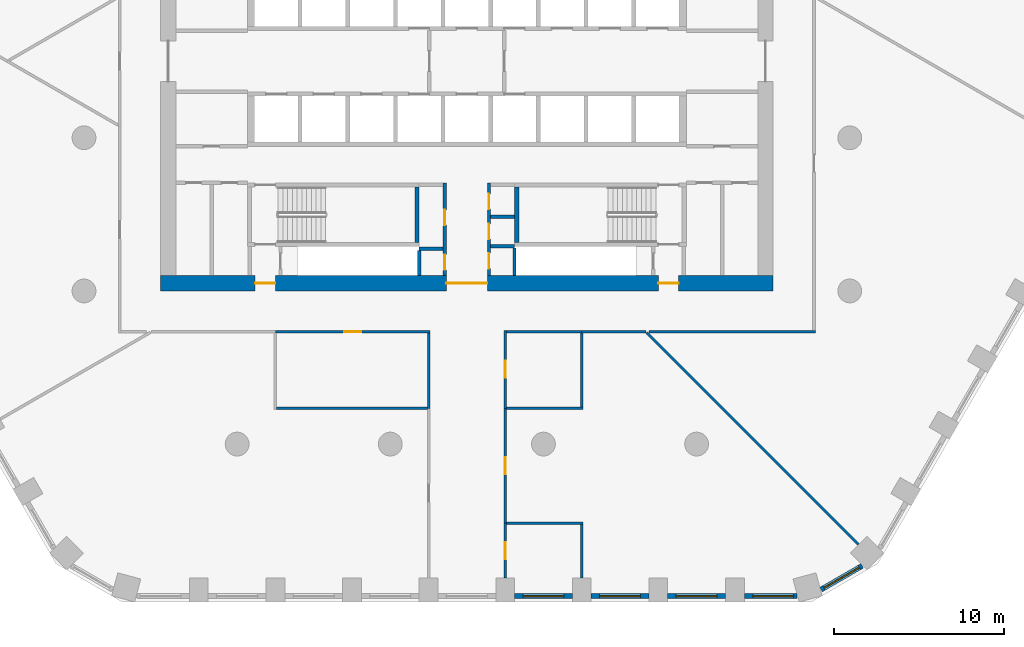
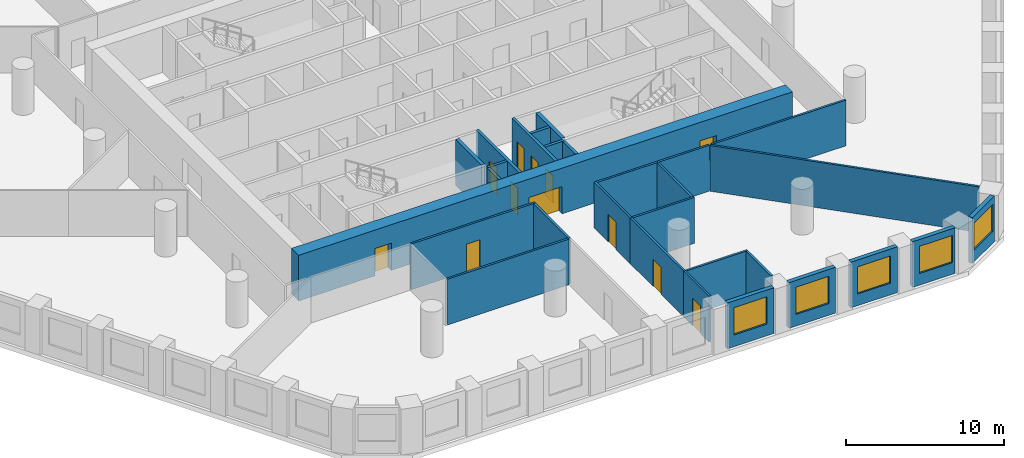
# One storey, part 3 of 10: 29 walls, 12 doors, 5 windows, 17 openings.
"""IFC4 building model written with IfcOpenShell, lengths in metres."""

from ifc_helpers import new_model, si_unit, direction, frame, frame_2d, origin, place, context, subcontext, project, spatial, rectangle, extrude, material, layer, layer_set, type_object, element, fill, save


model = new_model("IFC4")

# Units and contexts
model_context = context("Model", 3, precision=1e-05, world=origin(), true_north=direction((0.0, 1.0)))
body_context = subcontext(model_context, "Body", "Model", "MODEL_VIEW")
ifc_project = project(units=[si_unit("LENGTHUNIT", "METRE"), si_unit("AREAUNIT", "SQUARE_METRE"), si_unit("VOLUMEUNIT", "CUBIC_METRE"), si_unit("PLANEANGLEUNIT", "RADIAN"), si_unit("MASSUNIT", "GRAM", prefix="KILO")], contexts=[model_context])

# Site, building, storey
site_placement = place(None, origin())
site = spatial("IfcSite", under=ifc_project, at=site_placement, CompositionType="ELEMENT")
building_placement = place(site_placement, origin())
building = spatial("IfcBuilding", under=site, at=building_placement, Name="Dhurran Vertical Campus", CompositionType="ELEMENT")
storey_placement = place(building_placement, frame((0.0, 0.0, 41.699951171875)))
storey = spatial("IfcBuildingStorey", under=building, at=storey_placement, Name="L09", CompositionType="ELEMENT", Elevation=41.699951171875)

# Wall, opening, window
ifc_material_1 = material(Name="Precast concrete C50/60", Category="concrete")
ifc_layer_1 = layer(ifc_material_1, 0.300048828125)
ifc_layer_set_1 = layer_set([ifc_layer_1], Name="Precast concrete C50/60")
wall_type_1 = type_object("IfcWallType", Name="Precast spandrel wall 300", PredefinedType="SOLIDWALL", material=ifc_layer_set_1)
wall_1_placement = place(storey_placement, frame((2.800537109375, -31.4296875, 0.0), z_axis=(0.0, 0.0, 1.0), x_axis=(1.0, 0.0, 0.0)))
wall_1 = element("IfcWall", 1, at=wall_1_placement, inside=storey, type_object=wall_type_1, Name="EW1 L09.05", PredefinedType="SOLIDWALL", context=body_context, shape_type="SweptSolid", body=[
    extrude(rectangle(XDim=3.39892578125, YDim=0.300048828125, at=frame_2d((1.699462890625, 0.0))), origin(), (0.0, 0.0, 1.0), 3.525146484375),
])
opening_1_placement = place(wall_1_placement, frame((0.49951171875, 0.0, 0.89990234375)))
opening_1 = element("IfcOpeningElement", 2, at=opening_1_placement, cuts=wall_1, Name="Opening WT1", PredefinedType="OPENING", context=body_context, shape_type="SweptSolid", body=[
    extrude(rectangle(XDim=2.39990234375, YDim=2.10009765625, at=frame_2d((1.199951171875, 1.050048828125))), frame((0.0, 0.159912109375, 0.0), z_axis=(0.0, -1.0, 0.0), x_axis=(1.0, 0.0, 0.0)), (0.0, 0.0, 1.0), 0.320068359375),
])
ifc_material_2 = material(Name="Aluminium frame with solar-control glass", Category="aluminium")
window_type = type_object("IfcWindowType", Name="Punched window 2400 x 2100", PartitioningType="SINGLE_PANEL", PredefinedType="WINDOW", material=ifc_material_2)
window_1_placement = place(opening_1_placement, origin())
window_1 = element("IfcWindow", 3, at=window_1_placement, inside=storey, type_object=window_type, Name="WT1 L09.05", OverallHeight=2.10009765625, OverallWidth=2.39990234375, PartitioningType="SINGLE_PANEL", PredefinedType="WINDOW", context=body_context, shape_type="SweptSolid", body=[
    extrude(rectangle(XDim=2.39990234375, YDim=2.10009765625, at=frame_2d((1.199951171875, 1.050048828125))), frame((0.0, 0.030029296875, 0.0), z_axis=(0.0, -1.0, 0.0), x_axis=(1.0, 0.0, 0.0)), (0.0, 0.0, 1.0), 0.06005859375),
])
fill(opening_1, window_1)

wall_2_placement = place(storey_placement, frame((7.300537109375, -31.4296875, 0.0), z_axis=(0.0, 0.0, 1.0), x_axis=(1.0, 0.0, 0.0)))
wall_2 = element("IfcWall", 4, at=wall_2_placement, inside=storey, type_object=wall_type_1, Name="EW1 L09.06", PredefinedType="SOLIDWALL", context=body_context, shape_type="SweptSolid", body=[
    extrude(rectangle(XDim=3.39892578125, YDim=0.300048828125, at=frame_2d((1.699462890625, 0.0))), origin(), (0.0, 0.0, 1.0), 3.525146484375),
])
opening_2_placement = place(wall_2_placement, frame((0.49951171875, 0.0, 0.89990234375)))
opening_2 = element("IfcOpeningElement", 5, at=opening_2_placement, cuts=wall_2, Name="Opening WT1", PredefinedType="OPENING", context=body_context, shape_type="SweptSolid", body=[
    extrude(rectangle(XDim=2.39990234375, YDim=2.10009765625, at=frame_2d((1.199951171875, 1.050048828125))), frame((0.0, 0.159912109375, 0.0), z_axis=(0.0, -1.0, 0.0), x_axis=(1.0, 0.0, 0.0)), (0.0, 0.0, 1.0), 0.320068359375),
])
window_2_placement = place(opening_2_placement, origin())
window_2 = element("IfcWindow", 6, at=window_2_placement, inside=storey, type_object=window_type, Name="WT1 L09.06", OverallHeight=2.10009765625, OverallWidth=2.39990234375, PartitioningType="SINGLE_PANEL", PredefinedType="WINDOW", context=body_context, shape_type="SweptSolid", body=[
    extrude(rectangle(XDim=2.39990234375, YDim=2.10009765625, at=frame_2d((1.199951171875, 1.050048828125))), frame((0.0, 0.030029296875, 0.0), z_axis=(0.0, -1.0, 0.0), x_axis=(1.0, 0.0, 0.0)), (0.0, 0.0, 1.0), 0.06005859375),
])
fill(opening_2, window_2)

wall_3_placement = place(storey_placement, frame((11.800537109375, -31.4296875, 0.0), z_axis=(0.0, 0.0, 1.0), x_axis=(1.0, 0.0, 0.0)))
wall_3 = element("IfcWall", 7, at=wall_3_placement, inside=storey, type_object=wall_type_1, Name="EW1 L09.07", PredefinedType="SOLIDWALL", context=body_context, shape_type="SweptSolid", body=[
    extrude(rectangle(XDim=3.39892578125, YDim=0.300048828125, at=frame_2d((1.699462890625, 0.0))), origin(), (0.0, 0.0, 1.0), 3.525146484375),
])
opening_3_placement = place(wall_3_placement, frame((0.49951171875, 0.0, 0.89990234375)))
opening_3 = element("IfcOpeningElement", 8, at=opening_3_placement, cuts=wall_3, Name="Opening WT1", PredefinedType="OPENING", context=body_context, shape_type="SweptSolid", body=[
    extrude(rectangle(XDim=2.39990234375, YDim=2.10009765625, at=frame_2d((1.199951171875, 1.050048828125))), frame((0.0, 0.159912109375, 0.0), z_axis=(0.0, -1.0, 0.0), x_axis=(1.0, 0.0, 0.0)), (0.0, 0.0, 1.0), 0.320068359375),
])
window_3_placement = place(opening_3_placement, origin())
window_3 = element("IfcWindow", 9, at=window_3_placement, inside=storey, type_object=window_type, Name="WT1 L09.07", OverallHeight=2.10009765625, OverallWidth=2.39990234375, PartitioningType="SINGLE_PANEL", PredefinedType="WINDOW", context=body_context, shape_type="SweptSolid", body=[
    extrude(rectangle(XDim=2.39990234375, YDim=2.10009765625, at=frame_2d((1.199951171875, 1.050048828125))), frame((0.0, 0.030029296875, 0.0), z_axis=(0.0, -1.0, 0.0), x_axis=(1.0, 0.0, 0.0)), (0.0, 0.0, 1.0), 0.06005859375),
])
fill(opening_3, window_3)

wall_4_placement = place(storey_placement, frame((16.300537109375, -31.4296875, 0.0), z_axis=(0.0, 0.0, 1.0), x_axis=(1.0, 0.0, 0.0)))
wall_4 = element("IfcWall", 10, at=wall_4_placement, inside=storey, type_object=wall_type_1, Name="EW1 L09.08", PredefinedType="SOLIDWALL", context=body_context, shape_type="SweptSolid", body=[
    extrude(rectangle(XDim=3.090576171875, YDim=0.300048828125, at=frame_2d((1.54541015625, 0.0))), origin(), (0.0, 0.0, 1.0), 3.525146484375),
])
opening_4_placement = place(wall_4_placement, frame((0.49951171875, 0.0, 0.89990234375)))
opening_4 = element("IfcOpeningElement", 11, at=opening_4_placement, cuts=wall_4, Name="Opening WT1", PredefinedType="OPENING", context=body_context, shape_type="SweptSolid", body=[
    extrude(rectangle(XDim=2.39990234375, YDim=2.10009765625, at=frame_2d((1.199951171875, 1.050048828125))), frame((0.0, 0.159912109375, 0.0), z_axis=(0.0, -1.0, 0.0), x_axis=(1.0, 0.0, 0.0)), (0.0, 0.0, 1.0), 0.320068359375),
])
window_4_placement = place(opening_4_placement, origin())
window_4 = element("IfcWindow", 12, at=window_4_placement, inside=storey, type_object=window_type, Name="WT1 L09.08", OverallHeight=2.10009765625, OverallWidth=2.39990234375, PartitioningType="SINGLE_PANEL", PredefinedType="WINDOW", context=body_context, shape_type="SweptSolid", body=[
    extrude(rectangle(XDim=2.39990234375, YDim=2.10009765625, at=frame_2d((1.199951171875, 1.050048828125))), frame((0.0, 0.030029296875, 0.0), z_axis=(0.0, -1.0, 0.0), x_axis=(1.0, 0.0, 0.0)), (0.0, 0.0, 1.0), 0.06005859375),
])
fill(opening_4, window_4)

wall_5_placement = place(storey_placement, frame((20.81884765625, -31.047119140625, 0.0), z_axis=(0.0, 0.0, 1.0), x_axis=(0.866020456713, 0.500008568482, 0.0)))
wall_5 = element("IfcWall", 13, at=wall_5_placement, inside=storey, type_object=wall_type_1, Name="EW1 L09.09", PredefinedType="SOLIDWALL", context=body_context, shape_type="SweptSolid", body=[
    extrude(rectangle(XDim=2.7822265625, YDim=0.300048828125, at=frame_2d((1.39111328125, 0.0))), origin(), (0.0, 0.0, 1.0), 3.525146484375),
])
opening_5_placement = place(wall_5_placement, frame((0.191162109375, 0.0, 0.89990234375)))
opening_5 = element("IfcOpeningElement", 14, at=opening_5_placement, cuts=wall_5, Name="Opening WT1", PredefinedType="OPENING", context=body_context, shape_type="SweptSolid", body=[
    extrude(rectangle(XDim=2.39990234375, YDim=2.10009765625, at=frame_2d((1.199951171875, 1.050048828125))), frame((0.0, 0.159912109375, 0.0), z_axis=(0.0, -1.0, 0.0), x_axis=(1.0, 0.0, 0.0)), (0.0, 0.0, 1.0), 0.320068359375),
])
window_5_placement = place(opening_5_placement, origin())
window_5 = element("IfcWindow", 15, at=window_5_placement, inside=storey, type_object=window_type, Name="WT1 L09.09", OverallHeight=2.10009765625, OverallWidth=2.39990234375, PartitioningType="SINGLE_PANEL", PredefinedType="WINDOW", context=body_context, shape_type="SweptSolid", body=[
    extrude(rectangle(XDim=2.39990234375, YDim=2.10009765625, at=frame_2d((1.199951171875, 1.050048828125))), frame((0.0, 0.030029296875, 0.0), z_axis=(0.0, -1.0, 0.0), x_axis=(1.0, 0.0, 0.0)), (0.0, 0.0, 1.0), 0.06005859375),
])
fill(opening_5, window_5)

# Wall, openings, doors
ifc_material_3 = material(Name="Concrete C60/75", Category="concrete")
ifc_layer_2 = layer(ifc_material_3, 0.89990234375)
ifc_layer_set_2 = layer_set([ifc_layer_2], Name="Concrete C60/75")
wall_type_2 = type_object("IfcWallType", Name="co-CORE-WALL-C0-900", PredefinedType="SHEAR", material=ifc_layer_set_2)
wall_6_placement = place(storey_placement, frame((-18.0, -13.050048828125, 0.0), z_axis=(0.0, 0.0, 1.0), x_axis=(1.0, 0.0, 0.0)))
wall_6 = element("IfcWall", 16, at=wall_6_placement, inside=storey, type_object=wall_type_2, Name="Core wall S L09", PredefinedType="SHEAR", context=body_context, shape_type="SweptSolid", body=[
    extrude(rectangle(XDim=36.0, YDim=0.89990234375, at=frame_2d((18.0, 0.0))), origin(), (0.0, 0.0, 1.0), 3.525146484375),
])
opening_6_placement = place(wall_6_placement, frame((16.800048828125, 0.0, 0.0)))
opening_6 = element("IfcOpeningElement", 17, at=opening_6_placement, cuts=wall_6, Name="Opening CV2", PredefinedType="OPENING", context=body_context, shape_type="SweptSolid", body=[
    extrude(rectangle(XDim=2.39990234375, YDim=2.10009765625, at=frame_2d((1.199951171875, 1.050048828125))), frame((0.0, 0.4599609375, 0.0), z_axis=(0.0, -1.0, 0.0), x_axis=(1.0, 0.0, 0.0)), (0.0, 0.0, 1.0), 0.919921875),
])
opening_7_placement = place(wall_6_placement, frame((5.550048828125, 0.0, 0.0)))
opening_7 = element("IfcOpeningElement", 18, at=opening_7_placement, cuts=wall_6, Name="Opening XD3", PredefinedType="OPENING", context=body_context, shape_type="SweptSolid", body=[
    extrude(rectangle(XDim=1.199951171875, YDim=2.10009765625, at=frame_2d((0.60009765625, 1.050048828125))), frame((0.0, 0.4599609375, 0.0), z_axis=(0.0, -1.0, 0.0), x_axis=(1.0, 0.0, 0.0)), (0.0, 0.0, 1.0), 0.919921875),
])
opening_8_placement = place(wall_6_placement, frame((29.25, 0.0, 0.0)))
opening_8 = element("IfcOpeningElement", 19, at=opening_8_placement, cuts=wall_6, Name="Opening XD4", PredefinedType="OPENING", context=body_context, shape_type="SweptSolid", body=[
    extrude(rectangle(XDim=1.199951171875, YDim=2.10009765625, at=frame_2d((0.60009765625, 1.050048828125))), frame((0.0, 0.4599609375, 0.0), z_axis=(0.0, -1.0, 0.0), x_axis=(1.0, 0.0, 0.0)), (0.0, 0.0, 1.0), 0.919921875),
])
ifc_material_4 = material(Name="Fire-rated glazed door set")
door_type_1 = type_object("IfcDoorType", Name="co-D-LOBBY 2400x2100", OperationType="DOUBLE_DOOR_DOUBLE_SWING", PredefinedType="DOOR", material=ifc_material_4)
door_1_placement = place(opening_6_placement, origin())
door_1 = element("IfcDoor", 20, at=door_1_placement, inside=storey, type_object=door_type_1, Name="Core vestibule door S L09", OperationType="DOUBLE_DOOR_DOUBLE_SWING", OverallHeight=2.10009765625, OverallWidth=2.39990234375, PredefinedType="DOOR", context=body_context, shape_type="SweptSolid", body=[
    extrude(rectangle(XDim=2.39990234375, YDim=2.10009765625, at=frame_2d((1.199951171875, 1.050048828125))), frame((0.0, 0.02490234375, 0.0), z_axis=(0.0, -1.0, 0.0), x_axis=(1.0, 0.0, 0.0)), (0.0, 0.0, 1.0), 0.050048828125),
])
fill(opening_6, door_1)
ifc_material_5 = material(Name="Fire-rated steel door set", Category="steel")
door_type_2 = type_object("IfcDoorType", Name="co-D-STAIR-EXIT 1200x2100", OperationType="SINGLE_SWING_RIGHT", PredefinedType="DOOR", material=ifc_material_5)
door_2_placement = place(opening_7_placement, origin())
door_2 = element("IfcDoor", 21, at=door_2_placement, inside=storey, type_object=door_type_2, Name="Stair ST3 exit door L09", OperationType="SINGLE_SWING_RIGHT", OverallHeight=2.10009765625, OverallWidth=1.199951171875, PredefinedType="DOOR", context=body_context, shape_type="SweptSolid", body=[
    extrude(rectangle(XDim=1.199951171875, YDim=2.10009765625, at=frame_2d((0.60009765625, 1.050048828125))), frame((0.0, 0.02490234375, 0.0), z_axis=(0.0, -1.0, 0.0), x_axis=(1.0, 0.0, 0.0)), (0.0, 0.0, 1.0), 0.050048828125),
])
fill(opening_7, door_2)
door_3_placement = place(opening_8_placement, origin())
door_3 = element("IfcDoor", 22, at=door_3_placement, inside=storey, type_object=door_type_2, Name="Stair ST4 exit door L09", OperationType="SINGLE_SWING_RIGHT", OverallHeight=2.10009765625, OverallWidth=1.199951171875, PredefinedType="DOOR", context=body_context, shape_type="SweptSolid", body=[
    extrude(rectangle(XDim=1.199951171875, YDim=2.10009765625, at=frame_2d((0.60009765625, 1.050048828125))), frame((0.0, 0.02490234375, 0.0), z_axis=(0.0, -1.0, 0.0), x_axis=(1.0, 0.0, 0.0)), (0.0, 0.0, 1.0), 0.050048828125),
])
fill(opening_8, door_3)

# Walls
ifc_material_6 = material(Name="Fire-rated masonry blockwork", Category="masonry")
ifc_layer_3 = layer(ifc_material_6, 0.199951171875)
ifc_layer_set_3 = layer_set([ifc_layer_3], Name="Fire-rated masonry blockwork")
wall_type_3 = type_object("IfcWallType", Name="co-FIRE-PARTITION-200", PredefinedType="PARTITIONING", material=ifc_layer_set_3)
for number, where, z_axis, x_axis, name in (
    (23, (-2.800048828125, -11.02490234375, 0.0), (0.0, 0.0, 1.0), (1.0, 0.0, 0.0), "Core partition sl-SW-cut0 L09"),
    (24, (1.39990234375, -9.135009765625, 0.0), (0.0, 0.0, 1.0), (1.0, 0.0, 0.0), "Core partition sl-SE-cut0 L09"),
    (25, (1.39990234375, -10.867431640625, 0.0), (0.0, 0.0, 1.0), (1.0, 0.0, 0.0), "Core partition sl-SE-cut1 L09"),
):
    element("IfcWall", number, at=place(storey_placement, frame(where, z_axis=z_axis, x_axis=x_axis)), inside=storey, type_object=wall_type_3, Name=name, PredefinedType="PARTITIONING", context=body_context, shape_type="SweptSolid", body=[
        extrude(rectangle(XDim=1.400146484375, YDim=0.199951171875, at=frame_2d((0.7001953125, 0.0))), origin(), (0.0, 0.0, 1.0), 3.525146484375),
    ])

# Wall, openings, doors
wall_7_placement = place(storey_placement, frame((-1.300048828125, -12.60009765625, 0.0), z_axis=(0.0, 0.0, 1.0), x_axis=(0.0, 1.0, 0.0)))
wall_7 = element("IfcWall", 26, at=wall_7_placement, inside=storey, type_object=wall_type_3, Name="Core partition vest-SW L09", PredefinedType="PARTITIONING", context=body_context, shape_type="SweptSolid", body=[
    extrude(rectangle(XDim=5.4501953125, YDim=0.199951171875, at=frame_2d((2.72509765625, 0.0))), origin(), (0.0, 0.0, 1.0), 3.525146484375),
])
opening_9_placement = place(wall_7_placement, frame((0.33740234375, 0.0, 0.0)))
opening_9 = element("IfcOpeningElement", 27, at=opening_9_placement, cuts=wall_7, Name="Opening T02-C1", PredefinedType="OPENING", context=body_context, shape_type="SweptSolid", body=[
    extrude(rectangle(XDim=0.89990234375, YDim=2.10009765625, at=frame_2d((0.449951171875, 1.050048828125))), frame((0.0, 0.10986328125, 0.0), z_axis=(0.0, -1.0, 0.0), x_axis=(1.0, 0.0, 0.0)), (0.0, 0.0, 1.0), 0.219970703125),
])
opening_10_placement = place(wall_7_placement, frame((2.96240234375, 0.0, 0.0)))
opening_10 = element("IfcOpeningElement", 28, at=opening_10_placement, cuts=wall_7, Name="Opening T02-C2", PredefinedType="OPENING", context=body_context, shape_type="SweptSolid", body=[
    extrude(rectangle(XDim=0.89990234375, YDim=2.10009765625, at=frame_2d((0.449951171875, 1.050048828125))), frame((0.0, 0.10986328125, 0.0), z_axis=(0.0, -1.0, 0.0), x_axis=(1.0, 0.0, 0.0)), (0.0, 0.0, 1.0), 0.219970703125),
])
ifc_material_7 = material(Name="Fire-rated timber door set", Category="wood")
door_type_3 = type_object("IfcDoorType", Name="co-D-ROOM 900x2100", OperationType="SINGLE_SWING_LEFT", PredefinedType="DOOR", material=ifc_material_7)
door_4_placement = place(opening_9_placement, origin())
door_4 = element("IfcDoor", 29, at=door_4_placement, inside=storey, type_object=door_type_3, Name="Electrical riser door L09", OperationType="SINGLE_SWING_LEFT", OverallHeight=2.10009765625, OverallWidth=0.89990234375, PredefinedType="DOOR", context=body_context, shape_type="SweptSolid", body=[
    extrude(rectangle(XDim=0.89990234375, YDim=2.10009765625, at=frame_2d((0.449951171875, 1.050048828125))), frame((0.0, 0.02490234375, 0.0), z_axis=(0.0, -1.0, 0.0), x_axis=(1.0, 0.0, 0.0)), (0.0, 0.0, 1.0), 0.050048828125),
])
fill(opening_9, door_4)
door_5_placement = place(opening_10_placement, origin())
door_5 = element("IfcDoor", 30, at=door_5_placement, inside=storey, type_object=door_type_3, Name="Plant room door L09", OperationType="SINGLE_SWING_LEFT", OverallHeight=2.10009765625, OverallWidth=0.89990234375, PredefinedType="DOOR", context=body_context, shape_type="SweptSolid", body=[
    extrude(rectangle(XDim=0.89990234375, YDim=2.10009765625, at=frame_2d((0.449951171875, 1.050048828125))), frame((0.0, 0.02490234375, 0.0), z_axis=(0.0, -1.0, 0.0), x_axis=(1.0, 0.0, 0.0)), (0.0, 0.0, 1.0), 0.050048828125),
])
fill(opening_10, door_5)

wall_8_placement = place(storey_placement, frame((1.300048828125, -12.60009765625, 0.0), z_axis=(0.0, 0.0, 1.0), x_axis=(0.0, 1.0, 0.0)))
wall_8 = element("IfcWall", 31, at=wall_8_placement, inside=storey, type_object=wall_type_3, Name="Core partition vest-SE L09", PredefinedType="PARTITIONING", context=body_context, shape_type="SweptSolid", body=[
    extrude(rectangle(XDim=5.4501953125, YDim=0.199951171875, at=frame_2d((2.72509765625, 0.0))), origin(), (0.0, 0.0, 1.0), 3.525146484375),
])
opening_11_placement = place(wall_8_placement, frame((0.416259765625, 0.0, 0.0)))
opening_11 = element("IfcOpeningElement", 32, at=opening_11_placement, cuts=wall_8, Name="Opening T02-C3", PredefinedType="OPENING", context=body_context, shape_type="SweptSolid", body=[
    extrude(rectangle(XDim=0.89990234375, YDim=2.10009765625, at=frame_2d((0.449951171875, 1.050048828125))), frame((0.0, 0.10986328125, 0.0), z_axis=(0.0, -1.0, 0.0), x_axis=(1.0, 0.0, 0.0)), (0.0, 0.0, 1.0), 0.219970703125),
])
opening_12_placement = place(wall_8_placement, frame((2.148681640625, 0.0, 0.0)))
opening_12 = element("IfcOpeningElement", 33, at=opening_12_placement, cuts=wall_8, Name="Opening T02-C4", PredefinedType="OPENING", context=body_context, shape_type="SweptSolid", body=[
    extrude(rectangle(XDim=0.89990234375, YDim=2.10009765625, at=frame_2d((0.449951171875, 1.050048828125))), frame((0.0, 0.10986328125, 0.0), z_axis=(0.0, -1.0, 0.0), x_axis=(1.0, 0.0, 0.0)), (0.0, 0.0, 1.0), 0.219970703125),
])
opening_13_placement = place(wall_8_placement, frame((3.907470703125, 0.0, 0.0)))
opening_13 = element("IfcOpeningElement", 34, at=opening_13_placement, cuts=wall_8, Name="Opening T02-C5", PredefinedType="OPENING", context=body_context, shape_type="SweptSolid", body=[
    extrude(rectangle(XDim=0.89990234375, YDim=2.10009765625, at=frame_2d((0.449951171875, 1.050048828125))), frame((0.0, 0.10986328125, 0.0), z_axis=(0.0, -1.0, 0.0), x_axis=(1.0, 0.0, 0.0)), (0.0, 0.0, 1.0), 0.219970703125),
])
door_6_placement = place(opening_11_placement, origin())
door_6 = element("IfcDoor", 35, at=door_6_placement, inside=storey, type_object=door_type_3, Name="Housekeeping store door L09", OperationType="SINGLE_SWING_LEFT", OverallHeight=2.10009765625, OverallWidth=0.89990234375, PredefinedType="DOOR", context=body_context, shape_type="SweptSolid", body=[
    extrude(rectangle(XDim=0.89990234375, YDim=2.10009765625, at=frame_2d((0.449951171875, 1.050048828125))), frame((0.0, 0.02490234375, 0.0), z_axis=(0.0, -1.0, 0.0), x_axis=(1.0, 0.0, 0.0)), (0.0, 0.0, 1.0), 0.050048828125),
])
fill(opening_11, door_6)
door_7_placement = place(opening_12_placement, origin())
door_7 = element("IfcDoor", 36, at=door_7_placement, inside=storey, type_object=door_type_3, Name="Print room door L09", OperationType="SINGLE_SWING_LEFT", OverallHeight=2.10009765625, OverallWidth=0.89990234375, PredefinedType="DOOR", context=body_context, shape_type="SweptSolid", body=[
    extrude(rectangle(XDim=0.89990234375, YDim=2.10009765625, at=frame_2d((0.449951171875, 1.050048828125))), frame((0.0, 0.02490234375, 0.0), z_axis=(0.0, -1.0, 0.0), x_axis=(1.0, 0.0, 0.0)), (0.0, 0.0, 1.0), 0.050048828125),
])
fill(opening_12, door_7)
door_8_placement = place(opening_13_placement, origin())
door_8 = element("IfcDoor", 37, at=door_8_placement, inside=storey, type_object=door_type_3, Name="Communications room door L09", OperationType="SINGLE_SWING_LEFT", OverallHeight=2.10009765625, OverallWidth=0.89990234375, PredefinedType="DOOR", context=body_context, shape_type="SweptSolid", body=[
    extrude(rectangle(XDim=0.89990234375, YDim=2.10009765625, at=frame_2d((0.449951171875, 1.050048828125))), frame((0.0, 0.02490234375, 0.0), z_axis=(0.0, -1.0, 0.0), x_axis=(1.0, 0.0, 0.0)), (0.0, 0.0, 1.0), 0.050048828125),
])
fill(opening_13, door_8)

# Walls
wall_9_placement = place(storey_placement, frame((-2.800048828125, -12.59912109375, 0.0), z_axis=(0.0, 0.0, 1.0), x_axis=(0.0, 1.0, 0.0)))
element("IfcWall", 38, at=wall_9_placement, inside=storey, type_object=wall_type_3, Name="Riser enclosure wall L09", PredefinedType="PARTITIONING", context=body_context, shape_type="SweptSolid", body=[
    extrude(rectangle(XDim=1.47314453125, YDim=0.199951171875, at=frame_2d((0.736572265625, 0.0))), origin(), (0.0, 0.0, 1.0), 3.525146484375),
])
wall_10_placement = place(storey_placement, frame((2.800048828125, -10.968505859375, 0.0), z_axis=(0.0, 0.0, 1.0), x_axis=(0.0, -1.0, 0.0)))
element("IfcWall", 39, at=wall_10_placement, inside=storey, type_object=wall_type_3, Name="Riser enclosure wall L09", PredefinedType="PARTITIONING", context=body_context, shape_type="SweptSolid", body=[
    extrude(rectangle(XDim=1.630615234375, YDim=0.199951171875, at=frame_2d((0.8154296875, 0.0))), origin(), (0.0, 0.0, 1.0), 3.525146484375),
])
ifc_material_8 = material(Name="Concrete C40/50", Category="concrete")
ifc_layer_4 = layer(ifc_material_8, 0.25)
ifc_layer_set_4 = layer_set([ifc_layer_4], Name="Concrete C40/50")
wall_type_4 = type_object("IfcWallType", Name="co-STAIR-WALL-250", PredefinedType="SHEAR", material=ifc_layer_set_4)
for number, where, z_axis, x_axis, name in (
    (40, (-2.925048828125, -10.64990234375, 0.0), (0.0, 0.0, 1.0), (0.0, 1.0, 0.0), "Stair ST3 enclosure wall L09"),
    (41, (2.925048828125, -10.64990234375, 0.0), (0.0, 0.0, 1.0), (0.0, 1.0, 0.0), "Stair ST4 enclosure wall L09"),
):
    element("IfcWall", number, at=place(storey_placement, frame(where, z_axis=z_axis, x_axis=x_axis)), inside=storey, type_object=wall_type_4, Name=name, PredefinedType="SHEAR", context=body_context, shape_type="SweptSolid", body=[
        extrude(rectangle(XDim=3.25, YDim=0.25, at=frame_2d((1.625, 0.0))), origin(), (0.0, 0.0, 1.0), 3.525146484375),
    ])

# Wall, opening, door
ifc_material_9 = material(Name="Gypsum board corridor wall on steel studs", Category="steel")
ifc_layer_5 = layer(ifc_material_9, 0.14990234375)
ifc_layer_set_5 = layer_set([ifc_layer_5], Name="Gypsum board corridor wall on steel studs")
wall_type_5 = type_object("IfcWallType", Name="fl-CW-150 corridor wall", PredefinedType="PARTITIONING", material=ifc_layer_set_5)
wall_11_placement = place(storey_placement, frame((-11.25, -15.89990234375, 0.0), z_axis=(0.0, 0.0, 1.0), x_axis=(1.0, 0.0, 0.0)))
wall_11 = element("IfcWall", 42, at=wall_11_placement, inside=storey, type_object=wall_type_5, Name="Partition 09-17", PredefinedType="PARTITIONING", context=body_context, shape_type="SweptSolid", body=[
    extrude(rectangle(XDim=9.074951171875, YDim=0.14990234375, at=frame_2d((4.53759765625, 0.0))), origin(), (0.0, 0.0, 1.0), 3.525146484375),
])
opening_14_placement = place(wall_11_placement, frame((4.03759765625, 0.0, 0.0)))
opening_14 = element("IfcOpeningElement", 43, at=opening_14_placement, cuts=wall_11, Name="Opening T02.07", PredefinedType="OPENING", context=body_context, shape_type="SweptSolid", body=[
    extrude(rectangle(XDim=1.0, YDim=2.10009765625, at=frame_2d((0.5, 1.050048828125))), frame((0.0, 0.0849609375, 0.0), z_axis=(0.0, -1.0, 0.0), x_axis=(1.0, 0.0, 0.0)), (0.0, 0.0, 1.0), 0.169921875),
])
ifc_material_10 = material(Name="Solid-core timber door set, fire-rated", Category="wood")
door_type_4 = type_object("IfcDoorType", Name="fl-D-1000x2100", OperationType="SINGLE_SWING_LEFT", PredefinedType="DOOR", material=ifc_material_10)
door_9_placement = place(opening_14_placement, origin())
door_9 = element("IfcDoor", 44, at=door_9_placement, inside=storey, type_object=door_type_4, Name="Door 09.07", OperationType="SINGLE_SWING_LEFT", OverallHeight=2.10009765625, OverallWidth=1.0, PredefinedType="DOOR", context=body_context, shape_type="SweptSolid", body=[
    extrude(rectangle(XDim=1.0, YDim=2.10009765625, at=frame_2d((0.5, 1.050048828125))), frame((0.0, 0.02490234375, 0.0), z_axis=(0.0, -1.0, 0.0), x_axis=(1.0, 0.0, 0.0)), (0.0, 0.0, 1.0), 0.050048828125),
])
fill(opening_14, door_9)

# Wall
wall_12_placement = place(storey_placement, frame((-2.25, -20.39990234375, 0.0), z_axis=(0.0, 0.0, 1.0), x_axis=(0.0, 1.0, 0.0)))
element("IfcWall", 45, at=wall_12_placement, inside=storey, type_object=wall_type_5, Name="Partition 09-19", PredefinedType="PARTITIONING", context=body_context, shape_type="SweptSolid", body=[
    extrude(rectangle(XDim=4.4248046875, YDim=0.14990234375, at=frame_2d((2.21240234375, 0.0))), origin(), (0.0, 0.0, 1.0), 3.525146484375),
])

# Wall, opening, door
wall_13_placement = place(storey_placement, frame((2.25, -27.14990234375, 0.0), z_axis=(0.0, 0.0, 1.0), x_axis=(0.0, -1.0, 0.0)))
wall_13 = element("IfcWall", 46, at=wall_13_placement, inside=storey, type_object=wall_type_5, Name="Partition 09-21", PredefinedType="PARTITIONING", context=body_context, shape_type="SweptSolid", body=[
    extrude(rectangle(XDim=3.2099609375, YDim=0.14990234375, at=frame_2d((1.60498046875, 0.0))), origin(), (0.0, 0.0, 1.0), 3.525146484375),
])
opening_15_placement = place(wall_13_placement, frame((1.10498046875, 0.0, 0.0)))
opening_15 = element("IfcOpeningElement", 47, at=opening_15_placement, cuts=wall_13, Name="Opening T02.08", PredefinedType="OPENING", context=body_context, shape_type="SweptSolid", body=[
    extrude(rectangle(XDim=1.0, YDim=2.10009765625, at=frame_2d((0.5, 1.050048828125))), frame((0.0, 0.0849609375, 0.0), z_axis=(0.0, -1.0, 0.0), x_axis=(1.0, 0.0, 0.0)), (0.0, 0.0, 1.0), 0.169921875),
])
door_10_placement = place(opening_15_placement, origin())
door_10 = element("IfcDoor", 48, at=door_10_placement, inside=storey, type_object=door_type_4, Name="Door 09.08", OperationType="SINGLE_SWING_RIGHT", OverallHeight=2.10009765625, OverallWidth=1.0, PredefinedType="DOOR", context=body_context, shape_type="SweptSolid", body=[
    extrude(rectangle(XDim=1.0, YDim=2.10009765625, at=frame_2d((0.5, 1.050048828125))), frame((0.0, 0.02490234375, 0.0), z_axis=(0.0, -1.0, 0.0), x_axis=(1.0, 0.0, 0.0)), (0.0, 0.0, 1.0), 0.050048828125),
])
fill(opening_15, door_10)

wall_14_placement = place(storey_placement, frame((2.25, -20.39990234375, 0.0), z_axis=(0.0, 0.0, 1.0), x_axis=(0.0, -1.0, 0.0)))
wall_14 = element("IfcWall", 49, at=wall_14_placement, inside=storey, type_object=wall_type_5, Name="Partition 09-22", PredefinedType="PARTITIONING", context=body_context, shape_type="SweptSolid", body=[
    extrude(rectangle(XDim=6.75, YDim=0.14990234375, at=frame_2d((3.375, 0.0))), origin(), (0.0, 0.0, 1.0), 3.525146484375),
])
opening_16_placement = place(wall_14_placement, frame((2.875, 0.0, 0.0)))
opening_16 = element("IfcOpeningElement", 50, at=opening_16_placement, cuts=wall_14, Name="Opening T02.12", PredefinedType="OPENING", context=body_context, shape_type="SweptSolid", body=[
    extrude(rectangle(XDim=1.0, YDim=2.10009765625, at=frame_2d((0.5, 1.050048828125))), frame((0.0, 0.0849609375, 0.0), z_axis=(0.0, -1.0, 0.0), x_axis=(1.0, 0.0, 0.0)), (0.0, 0.0, 1.0), 0.169921875),
])
door_11_placement = place(opening_16_placement, origin())
door_11 = element("IfcDoor", 51, at=door_11_placement, inside=storey, type_object=door_type_4, Name="Door 09.12", OperationType="SINGLE_SWING_LEFT", OverallHeight=2.10009765625, OverallWidth=1.0, PredefinedType="DOOR", context=body_context, shape_type="SweptSolid", body=[
    extrude(rectangle(XDim=1.0, YDim=2.10009765625, at=frame_2d((0.5, 1.050048828125))), frame((0.0, 0.02490234375, 0.0), z_axis=(0.0, -1.0, 0.0), x_axis=(1.0, 0.0, 0.0)), (0.0, 0.0, 1.0), 0.050048828125),
])
fill(opening_16, door_11)

wall_15_placement = place(storey_placement, frame((2.25, -15.824951171875, 0.0), z_axis=(0.0, 0.0, 1.0), x_axis=(0.0, -1.0, 0.0)))
wall_15 = element("IfcWall", 52, at=wall_15_placement, inside=storey, type_object=wall_type_5, Name="Partition 09-24", PredefinedType="PARTITIONING", context=body_context, shape_type="SweptSolid", body=[
    extrude(rectangle(XDim=4.574951171875, YDim=0.14990234375, at=frame_2d((2.28759765625, 0.0))), origin(), (0.0, 0.0, 1.0), 3.525146484375),
])
opening_17_placement = place(wall_15_placement, frame((1.78759765625, 0.0, 0.0)))
opening_17 = element("IfcOpeningElement", 53, at=opening_17_placement, cuts=wall_15, Name="Opening T02.09", PredefinedType="OPENING", context=body_context, shape_type="SweptSolid", body=[
    extrude(rectangle(XDim=1.0, YDim=2.10009765625, at=frame_2d((0.5, 1.050048828125))), frame((0.0, 0.0849609375, 0.0), z_axis=(0.0, -1.0, 0.0), x_axis=(1.0, 0.0, 0.0)), (0.0, 0.0, 1.0), 0.169921875),
])
door_12_placement = place(opening_17_placement, origin())
door_12 = element("IfcDoor", 54, at=door_12_placement, inside=storey, type_object=door_type_4, Name="Door 09.09", OperationType="SINGLE_SWING_LEFT", OverallHeight=2.10009765625, OverallWidth=1.0, PredefinedType="DOOR", context=body_context, shape_type="SweptSolid", body=[
    extrude(rectangle(XDim=1.0, YDim=2.10009765625, at=frame_2d((0.5, 1.050048828125))), frame((0.0, 0.02490234375, 0.0), z_axis=(0.0, -1.0, 0.0), x_axis=(1.0, 0.0, 0.0)), (0.0, 0.0, 1.0), 0.050048828125),
])
fill(opening_17, door_12)

# Walls
wall_16_placement = place(storey_placement, frame((2.324951171875, -15.89990234375, 0.0), z_axis=(0.0, 0.0, 1.0), x_axis=(1.0, 0.0, 0.0)))
element("IfcWall", 55, at=wall_16_placement, inside=storey, type_object=wall_type_5, Name="Partition 09-26", PredefinedType="PARTITIONING", context=body_context, shape_type="SweptSolid", body=[
    extrude(rectangle(XDim=4.425048828125, YDim=0.14990234375, at=frame_2d((2.21240234375, 0.0))), origin(), (0.0, 0.0, 1.0), 3.525146484375),
])
wall_17_placement = place(storey_placement, frame((6.75, -15.89990234375, 0.0), z_axis=(0.0, 0.0, 1.0), x_axis=(1.0, 0.0, 0.0)))
element("IfcWall", 56, at=wall_17_placement, inside=storey, type_object=wall_type_5, Name="Partition 09-33", PredefinedType="PARTITIONING", context=body_context, shape_type="SweptSolid", body=[
    extrude(rectangle(XDim=3.76708984375, YDim=0.14990234375, at=frame_2d((1.883544921875, 0.0))), origin(), (0.0, 0.0, 1.0), 3.525146484375),
])
wall_18_placement = place(storey_placement, frame((10.69189453125, -15.89990234375, 0.0), z_axis=(0.0, 0.0, 1.0), x_axis=(1.0, 0.0, 0.0)))
element("IfcWall", 57, at=wall_18_placement, inside=storey, type_object=wall_type_5, Name="Partition 09-34", PredefinedType="PARTITIONING", context=body_context, shape_type="SweptSolid", body=[
    extrude(rectangle(XDim=9.783203125, YDim=0.14990234375, at=frame_2d((4.8916015625, 0.0))), origin(), (0.0, 0.0, 1.0), 3.525146484375),
])
ifc_material_11 = material(Name="Gypsum board partition on steel studs", Category="steel")
ifc_layer_6 = layer(ifc_material_11, 0.14990234375)
ifc_layer_set_6 = layer_set([ifc_layer_6], Name="Gypsum board partition on steel studs")
wall_type_6 = type_object("IfcWallType", Name="fl-PW-150 fixed partition", PredefinedType="PARTITIONING", material=ifc_layer_set_6)
wall_19_placement = place(storey_placement, frame((-11.175048828125, -20.39990234375, 0.0), z_axis=(0.0, 0.0, 1.0), x_axis=(1.0, 0.0, 0.0)))
element("IfcWall", 58, at=wall_19_placement, inside=storey, type_object=wall_type_6, Name="Partition 09-16", PredefinedType="PARTITIONING", context=body_context, shape_type="SweptSolid", body=[
    extrude(rectangle(XDim=8.85009765625, YDim=0.14990234375, at=frame_2d((4.425048828125, 0.0))), origin(), (0.0, 0.0, 1.0), 3.525146484375),
])
for number, where, z_axis, x_axis, name in (
    (59, (2.324951171875, -27.14990234375, 0.0), (0.0, 0.0, 1.0), (1.0, 0.0, 0.0), "Partition 09-23"),
    (60, (6.824951171875, -20.39990234375, 0.0), (0.0, 0.0, 1.0), (-1.0, 0.0, 0.0), "Partition 09-25"),
):
    element("IfcWall", number, at=place(storey_placement, frame(where, z_axis=z_axis, x_axis=x_axis)), inside=storey, type_object=wall_type_6, Name=name, PredefinedType="PARTITIONING", context=body_context, shape_type="SweptSolid", body=[
        extrude(rectangle(XDim=4.5, YDim=0.14990234375, at=frame_2d((2.25, 0.0))), origin(), (0.0, 0.0, 1.0), 3.525146484375),
    ])
wall_20_placement = place(storey_placement, frame((6.75, -27.22509765625, 0.0), z_axis=(0.0, 0.0, 1.0), x_axis=(0.0, -1.0, 0.0)))
element("IfcWall", 61, at=wall_20_placement, inside=storey, type_object=wall_type_6, Name="Partition 09-31", PredefinedType="PARTITIONING", context=body_context, shape_type="SweptSolid", body=[
    extrude(rectangle(XDim=3.134765625, YDim=0.14990234375, at=frame_2d((1.5673828125, 0.0))), origin(), (0.0, 0.0, 1.0), 3.525146484375),
])
wall_21_placement = place(storey_placement, frame((6.75, -15.97509765625, 0.0), z_axis=(0.0, 0.0, 1.0), x_axis=(0.0, -1.0, 0.0)))
element("IfcWall", 62, at=wall_21_placement, inside=storey, type_object=wall_type_6, Name="Partition 09-32", PredefinedType="PARTITIONING", context=body_context, shape_type="SweptSolid", body=[
    extrude(rectangle(XDim=4.349853515625, YDim=0.14990234375, at=frame_2d((2.1748046875, 0.0))), origin(), (0.0, 0.0, 1.0), 3.525146484375),
])
wall_22_placement = place(storey_placement, frame((10.570068359375, -15.952880859375, 0.0), z_axis=(0.0, 0.0, 1.0), x_axis=(0.707099842679, -0.707113719626, 0.0)))
element("IfcWall", 63, at=wall_22_placement, inside=storey, type_object=wall_type_6, Name="Partition 09-35", PredefinedType="PARTITIONING", context=body_context, shape_type="SweptSolid", body=[
    extrude(rectangle(XDim=17.59326171875, YDim=0.14990234375, at=frame_2d((8.796630859375, 0.0))), origin(), (0.0, 0.0, 1.0), 3.525146484375),
])

save(model, "model.ifc")
